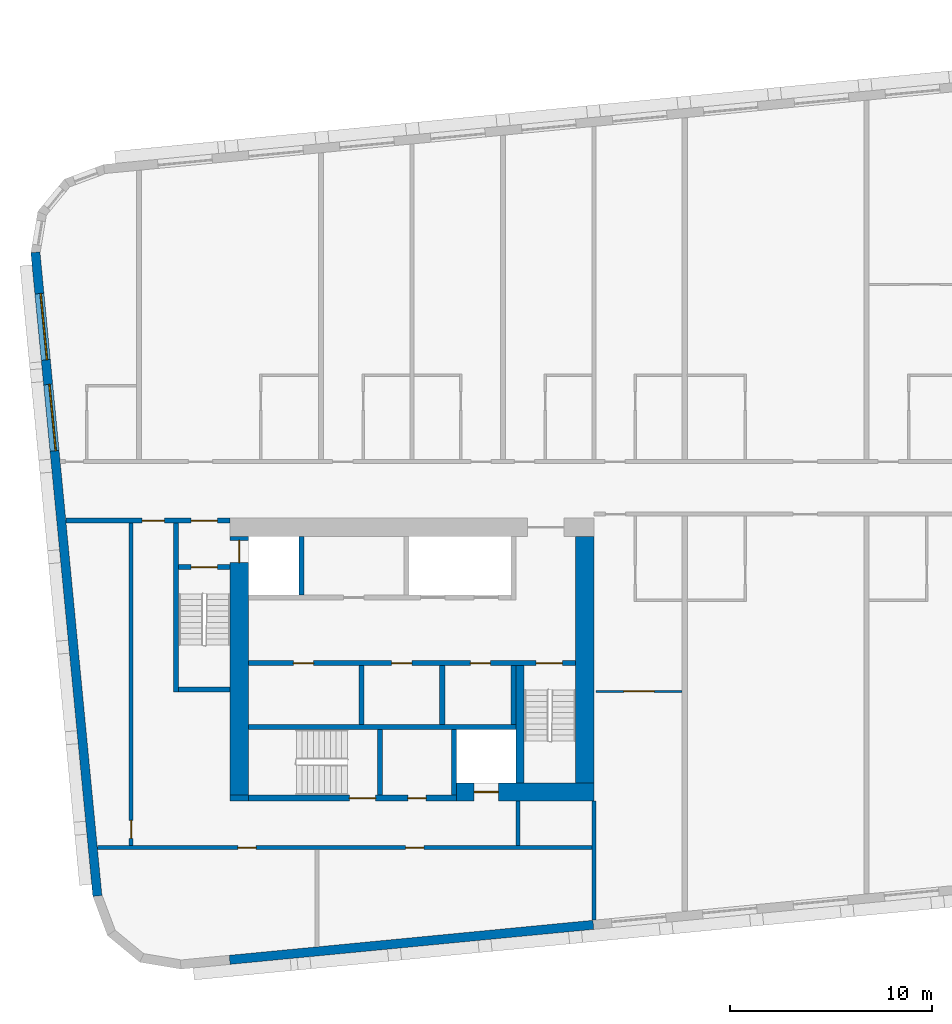
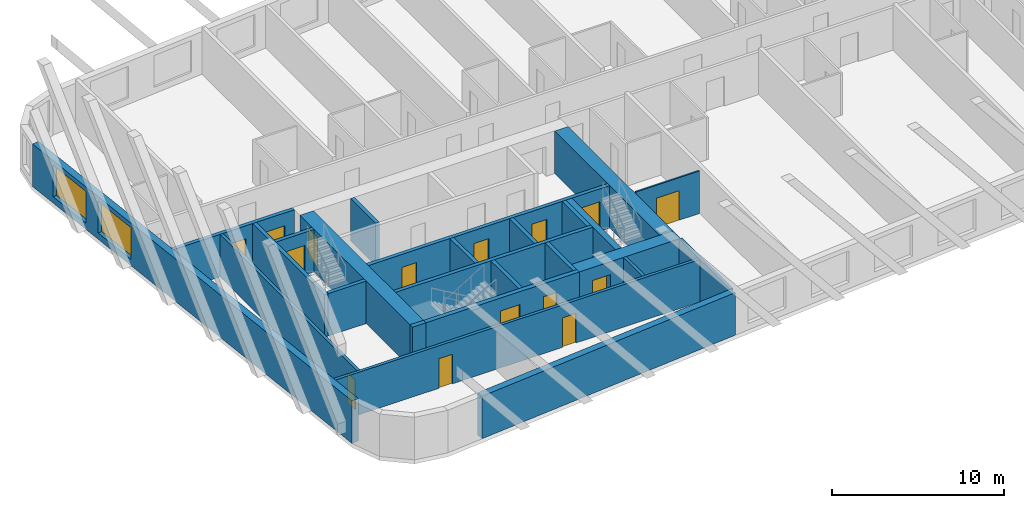
# One storey, part 2 of 12: 25 walls, 15 doors, 2 windows, 17 openings.
"""IFC4 building model written with IfcOpenShell, lengths in metres."""

from ifc_helpers import new_model, si_unit, direction, frame, frame_2d, origin, place, context, subcontext, project, spatial, rectangle, extrude, material, layer, layer_set, type_object, element, fill, save


model = new_model("IFC4")

# Units and contexts
model_context = context("Model", 3, precision=1e-05, world=origin(), true_north=direction((0.0, 1.0)))
body_context = subcontext(model_context, "Body", "Model", "MODEL_VIEW")
ifc_project = project(units=[si_unit("LENGTHUNIT", "METRE"), si_unit("AREAUNIT", "SQUARE_METRE"), si_unit("VOLUMEUNIT", "CUBIC_METRE"), si_unit("PLANEANGLEUNIT", "RADIAN"), si_unit("MASSUNIT", "GRAM", prefix="KILO")], contexts=[model_context])

# Site, building, storey
site_placement = place(None, origin())
site = spatial("IfcSite", under=ifc_project, at=site_placement, CompositionType="ELEMENT")
building_placement = place(site_placement, origin())
building = spatial("IfcBuilding", under=site, at=building_placement, Name="Kajstack Hotel Tower", CompositionType="ELEMENT")
storey_placement = place(building_placement, frame((0.0, 0.0, 288.300048828125)))
storey = spatial("IfcBuildingStorey", under=building, at=storey_placement, Name="L72", CompositionType="ELEMENT", Elevation=288.300048828125)

# Wall, opening, door
ifc_material_1 = material(Name="Concrete C60/75", Category="concrete")
ifc_layer_1 = layer(ifc_material_1, 0.89990234375)
ifc_layer_set_1 = layer_set([ifc_layer_1], Name="Core wall 900")
wall_type_1 = type_object("IfcWallType", Name="Core wall 900", PredefinedType="SHEAR", material=ifc_layer_set_1)
wall_1_placement = place(storey_placement, frame((-20.300048828125, -15.050048828125, 0.0), z_axis=(0.0, 0.0, 1.0), x_axis=(1.0, 0.0, 0.0)))
wall_1 = element("IfcWall", 1, at=wall_1_placement, inside=storey, type_object=wall_type_1, Name="Core wall W RS", PredefinedType="SHEAR", context=body_context, shape_type="SweptSolid", body=[
    extrude(rectangle(XDim=6.800048828125, YDim=0.89990234375, at=frame_2d((3.39990234375, 0.0))), origin(), (0.0, 0.0, 1.0), 3.02001953125),
])
opening_1_placement = place(wall_1_placement, frame((0.875, 0.0, 0.0)))
opening_1 = element("IfcOpeningElement", 2, at=opening_1_placement, cuts=wall_1, Name="Opening LD-SV1", PredefinedType="OPENING", context=body_context, shape_type="SweptSolid", body=[
    extrude(rectangle(XDim=1.199951171875, YDim=2.10009765625, at=frame_2d((0.60009765625, 1.050048828125))), frame((0.0, 0.4599609375, 0.0), z_axis=(0.0, -1.0, 0.0), x_axis=(1.0, 0.0, 0.0)), (0.0, 0.0, 1.0), 0.919921875),
])
ifc_material_2 = material(Name="Stainless steel", Category="steel")
door_type_1 = type_object("IfcDoorType", Name="Lift landing door 1200", OperationType="SLIDING_TO_LEFT", PredefinedType="DOOR", material=ifc_material_2)
door_1_placement = place(opening_1_placement, origin())
door_1 = element("IfcDoor", 3, at=door_1_placement, inside=storey, type_object=door_type_1, Name="Landing door SV1", OperationType="SLIDING_TO_LEFT", OverallHeight=2.10009765625, OverallWidth=1.199951171875, PredefinedType="DOOR", context=body_context, shape_type="SweptSolid", body=[
    extrude(rectangle(XDim=1.199951171875, YDim=2.10009765625, at=frame_2d((0.60009765625, 1.050048828125))), frame((0.0, 0.02490234375, 0.0), z_axis=(0.0, -1.0, 0.0), x_axis=(1.0, 0.0, 0.0)), (0.0, 0.0, 1.0), 0.050048828125),
])
fill(opening_1, door_1)

# Wall
wall_2_placement = place(storey_placement, frame((-31.5, -15.35009765625, 0.0), z_axis=(0.0, 0.0, 1.0), x_axis=(1.0, 0.0, 0.0)))
element("IfcWall", 4, at=wall_2_placement, inside=storey, type_object=wall_type_1, Name="Core wall W RSW", PredefinedType="SHEAR", context=body_context, shape_type="SweptSolid", body=[
    extrude(rectangle(XDim=0.89990234375, YDim=0.300048828125, at=frame_2d((0.449951171875, 0.0))), origin(), (0.0, 0.0, 1.0), 3.02001953125),
])

# Wall, opening, door
wall_3_placement = place(storey_placement, frame((-31.050048828125, -15.199951171875, 0.0), z_axis=(0.0, 0.0, 1.0), x_axis=(0.0, 1.0, 0.0)))
wall_3 = element("IfcWall", 5, at=wall_3_placement, inside=storey, type_object=wall_type_1, Name="Core wall W RW", PredefinedType="SHEAR", context=body_context, shape_type="SweptSolid", body=[
    extrude(rectangle(XDim=12.800048828125, YDim=0.89990234375, at=frame_2d((6.39990234375, 0.0))), origin(), (0.0, 0.0, 1.0), 3.02001953125),
])
opening_2_placement = place(wall_3_placement, frame((11.5, 0.0, 0.0)))
opening_2 = element("IfcOpeningElement", 6, at=opening_2_placement, cuts=wall_3, Name="Opening LD-FF1", PredefinedType="OPENING", context=body_context, shape_type="SweptSolid", body=[
    extrude(rectangle(XDim=1.10009765625, YDim=2.10009765625, at=frame_2d((0.550048828125, 1.050048828125))), frame((0.0, 0.4599609375, 0.0), z_axis=(0.0, -1.0, 0.0), x_axis=(1.0, 0.0, 0.0)), (0.0, 0.0, 1.0), 0.919921875),
])
door_type_2 = type_object("IfcDoorType", Name="Fire-fighting lift landing door 1100", OperationType="SLIDING_TO_LEFT", PredefinedType="DOOR", material=ifc_material_2)
door_2_placement = place(opening_2_placement, origin())
door_2 = element("IfcDoor", 7, at=door_2_placement, inside=storey, type_object=door_type_2, Name="Landing door FF1", OperationType="SLIDING_TO_RIGHT", OverallHeight=2.10009765625, OverallWidth=1.10009765625, PredefinedType="DOOR", context=body_context, shape_type="SweptSolid", body=[
    extrude(rectangle(XDim=1.10009765625, YDim=2.10009765625, at=frame_2d((0.550048828125, 1.050048828125))), frame((0.0, 0.02490234375, 0.0), z_axis=(0.0, -1.0, 0.0), x_axis=(1.0, 0.0, 0.0)), (0.0, 0.0, 1.0), 0.050048828125),
])
fill(opening_2, door_2)

# Walls
wall_4_placement = place(storey_placement, frame((-13.949951171875, -14.60009765625, 0.0), z_axis=(0.0, 0.0, 1.0), x_axis=(0.0, 1.0, 0.0)))
element("IfcWall", 8, at=wall_4_placement, inside=storey, type_object=wall_type_1, Name="Core wall W RE", PredefinedType="SHEAR", context=body_context, shape_type="SweptSolid", body=[
    extrude(rectangle(XDim=12.2001953125, YDim=0.89990234375, at=frame_2d((6.10009765625, 0.0))), origin(), (0.0, 0.0, 1.0), 3.02001953125),
])
ifc_material_3 = material(Name="Twin-frame gypsum board on steel studs, mineral wool", Category="steel")
ifc_layer_2 = layer(ifc_material_3, 0.199951171875)
ifc_layer_set_2 = layer_set([ifc_layer_2], Name="Demising wall 200")
wall_type_2 = type_object("IfcWallType", Name="Demising wall 200", PredefinedType="PARTITIONING", material=ifc_layer_set_2)
wall_5_placement = place(storey_placement, frame((-13.5, -21.39599609375, 0.0), z_axis=(0.0, 0.0, 1.0), x_axis=(0.0, 1.0, 0.0)))
element("IfcWall", 9, at=wall_5_placement, inside=storey, type_object=wall_type_2, Name="G-wall-L72-002", PredefinedType="PARTITIONING", context=body_context, shape_type="SweptSolid", body=[
    extrude(rectangle(XDim=5.89599609375, YDim=0.199951171875, at=frame_2d((2.947998046875, 0.0))), origin(), (0.0, 0.0, 1.0), 3.02001953125),
])
ifc_material_4 = material(Name="Concrete C40/50", Category="concrete")
ifc_layer_3 = layer(ifc_material_4, 0.449951171875)
ifc_layer_set_3 = layer_set([ifc_layer_3], Name="EW-CORE")
wall_type_3 = type_object("IfcWallType", Name="EW-CORE", PredefinedType="SOLIDWALL", material=ifc_layer_set_3)
wall_6_placement = place(storey_placement, frame((-31.521484375, -23.357177734375, 0.0), z_axis=(0.0, 0.0, 1.0), x_axis=(0.995396454615, 0.095843091245, 0.0)))
element("IfcWall", 10, at=wall_6_placement, inside=storey, type_object=wall_type_3, Name="E-wall-L72-04-01", PredefinedType="SOLIDWALL", context=body_context, shape_type="SweptSolid", body=[
    extrude(rectangle(XDim=18.083251953125, YDim=0.449951171875, at=frame_2d((9.04150390625, 0.0))), origin(), (0.0, 0.0, 1.0), 3.02001953125),
])

# Wall, openings, windows
ifc_material_5 = material(Name="Terracotta-faced brick masonry", Category="masonry")
ifc_layer_4 = layer(ifc_material_5, 0.449951171875)
ifc_layer_set_4 = layer_set([ifc_layer_4], Name="EW-TERRA")
wall_type_4 = type_object("IfcWallType", Name="EW-TERRA", PredefinedType="SOLIDWALL", material=ifc_layer_set_4)
wall_7_placement = place(storey_placement, frame((-41.13232421875, 11.657958984375, 0.0), z_axis=(0.0, 0.0, 1.0), x_axis=(0.095847749461, -0.995396006082, 0.0)))
wall_7 = element("IfcWall", 11, at=wall_7_placement, inside=storey, type_object=wall_type_4, Name="E-wall-L72-00-00", PredefinedType="SOLIDWALL", context=body_context, shape_type="SweptSolid", body=[
    extrude(rectangle(XDim=32.0, YDim=0.449951171875, at=frame_2d((16.0, 0.0))), origin(), (0.0, 0.0, 1.0), 3.02001953125),
])
opening_3_placement = place(wall_7_placement, frame((2.053466796875, 0.0, 0.449951171875)))
opening_3 = element("IfcOpeningElement", 12, at=opening_3_placement, cuts=wall_7, Name="Opening W2", PredefinedType="OPENING", context=body_context, shape_type="SweptSolid", body=[
    extrude(rectangle(XDim=3.300048828125, YDim=2.25, at=frame_2d((1.64990234375, 1.125))), frame((0.0, 0.23486328125, 0.0), z_axis=(0.0, -1.0, 0.0), x_axis=(1.0, 0.0, 0.0)), (0.0, 0.0, 1.0), 0.469970703125),
])
opening_4_placement = place(wall_7_placement, frame((6.57421875, 0.0, 0.449951171875)))
opening_4 = element("IfcOpeningElement", 13, at=opening_4_placement, cuts=wall_7, Name="Opening W2", PredefinedType="OPENING", context=body_context, shape_type="SweptSolid", body=[
    extrude(rectangle(XDim=3.300048828125, YDim=2.25, at=frame_2d((1.64990234375, 1.125))), frame((0.0, 0.23486328125, 0.0), z_axis=(0.0, -1.0, 0.0), x_axis=(1.0, 0.0, 0.0)), (0.0, 0.0, 1.0), 0.469970703125),
])
ifc_material_6 = material(Name="Timber-aluminium window, triple glazed", Category="wood")
window_type = type_object("IfcWindowType", Name="WG2", PartitioningType="SINGLE_PANEL", PredefinedType="WINDOW", material=ifc_material_6)
window_1_placement = place(opening_3_placement, origin())
window_1 = element("IfcWindow", 14, at=window_1_placement, inside=storey, type_object=window_type, Name="Window W2 L72-00", OverallHeight=2.25, OverallWidth=3.300048828125, PartitioningType="SINGLE_PANEL", PredefinedType="WINDOW", context=body_context, shape_type="SweptSolid", body=[
    extrude(rectangle(XDim=3.300048828125, YDim=2.25, at=frame_2d((1.64990234375, 1.125))), frame((0.0, 0.090087890625, 0.0), z_axis=(0.0, -1.0, 0.0), x_axis=(1.0, 0.0, 0.0)), (0.0, 0.0, 1.0), 0.06005859375),
])
fill(opening_3, window_1)
window_2_placement = place(opening_4_placement, origin())
window_2 = element("IfcWindow", 15, at=window_2_placement, inside=storey, type_object=window_type, Name="Window W2 L72-00", OverallHeight=2.25, OverallWidth=3.300048828125, PartitioningType="SINGLE_PANEL", PredefinedType="WINDOW", context=body_context, shape_type="SweptSolid", body=[
    extrude(rectangle(XDim=3.300048828125, YDim=2.25, at=frame_2d((1.64990234375, 1.125))), frame((0.0, 0.090087890625, 0.0), z_axis=(0.0, -1.0, 0.0), x_axis=(1.0, 0.0, 0.0)), (0.0, 0.0, 1.0), 0.06005859375),
])
fill(opening_4, window_2)

# Wall, opening, door
ifc_material_7 = material(Name="Gypsum board on steel studs", Category="steel")
ifc_layer_5 = layer(ifc_material_7, 0.10009765625)
ifc_layer_set_5 = layer_set([ifc_layer_5], Name="Partition 100")
wall_type_5 = type_object("IfcWallType", Name="Partition 100", PredefinedType="PARTITIONING", material=ifc_layer_set_5)
wall_8_placement = place(storey_placement, frame((-13.39990234375, -10.074951171875, 0.0), z_axis=(0.0, 0.0, 1.0), x_axis=(1.0, 0.0, 0.0)))
wall_8 = element("IfcWall", 16, at=wall_8_placement, inside=storey, type_object=wall_type_5, Name="G-wall-L72-031", PredefinedType="PARTITIONING", context=body_context, shape_type="SweptSolid", body=[
    extrude(rectangle(XDim=4.27490234375, YDim=0.10009765625, at=frame_2d((2.137451171875, 0.0))), origin(), (0.0, 0.0, 1.0), 3.02001953125),
])
opening_5_placement = place(wall_8_placement, frame((1.387939453125, 0.0, 0.0)))
opening_5 = element("IfcOpeningElement", 17, at=opening_5_placement, cuts=wall_8, Name="Opening 72024", PredefinedType="OPENING", context=body_context, shape_type="SweptSolid", body=[
    extrude(rectangle(XDim=1.5, YDim=2.10009765625, at=frame_2d((0.75, 1.050048828125))), frame((0.0, 0.06005859375, 0.0), z_axis=(0.0, -1.0, 0.0), x_axis=(1.0, 0.0, 0.0)), (0.0, 0.0, 1.0), 0.1201171875),
])
ifc_material_8 = material(Name="Painted timber door leaves, glazed panels", Category="wood")
door_type_3 = type_object("IfcDoorType", Name="Double door 1500", OperationType="SINGLE_SWING_LEFT", PredefinedType="DOOR", material=ifc_material_8)
door_3_placement = place(opening_5_placement, origin())
door_3 = element("IfcDoor", 18, at=door_3_placement, inside=storey, type_object=door_type_3, Name="G-door-L72-24", OperationType="SINGLE_SWING_RIGHT", OverallHeight=2.10009765625, OverallWidth=1.5, PredefinedType="DOOR", context=body_context, shape_type="SweptSolid", body=[
    extrude(rectangle(XDim=1.5, YDim=2.10009765625, at=frame_2d((0.75, 1.050048828125))), frame((0.0, 0.02490234375, 0.0), z_axis=(0.0, -1.0, 0.0), x_axis=(1.0, 0.0, 0.0)), (0.0, 0.0, 1.0), 0.050048828125),
])
fill(opening_5, door_3)

# Walls
ifc_material_9 = material(Name="Concrete block masonry", Category="masonry")
ifc_layer_6 = layer(ifc_material_9, 0.25)
ifc_layer_set_6 = layer_set([ifc_layer_6], Name="Riser partition 250")
wall_type_6 = type_object("IfcWallType", Name="Riser partition 250", PredefinedType="PARTITIONING", material=ifc_layer_set_6)
for number, where, z_axis, x_axis, name in (
    (19, (-25.0, -11.699951171875, 0.0), (0.0, 0.0, 1.0), (0.0, 1.0, 0.0), "Partition W BF0"),
    (20, (-21.0, -11.699951171875, 0.0), (0.0, 0.0, 1.0), (0.0, 1.0, 0.0), "Partition W BF1"),
):
    element("IfcWall", number, at=place(storey_placement, frame(where, z_axis=z_axis, x_axis=x_axis)), inside=storey, type_object=wall_type_6, Name=name, PredefinedType="PARTITIONING", context=body_context, shape_type="SweptSolid", body=[
        extrude(rectangle(XDim=2.89990234375, YDim=0.25, at=frame_2d((1.449951171875, 0.0))), origin(), (0.0, 0.0, 1.0), 3.02001953125),
    ])

# Wall, openings, doors
ifc_material_10 = material(Name="Gypsum board on steel studs, mineral wool", Category="steel")
ifc_layer_7 = layer(ifc_material_10, 0.199951171875)
ifc_layer_set_7 = layer_set([ifc_layer_7], Name="Service partition 200")
wall_type_7 = type_object("IfcWallType", Name="Service partition 200", PredefinedType="PARTITIONING", material=ifc_layer_set_7)
wall_9_placement = place(storey_placement, frame((-39.627197265625, -1.625, 0.0), z_axis=(0.0, 0.0, 1.0), x_axis=(1.0, 0.0, 0.0)))
wall_9 = element("IfcWall", 21, at=wall_9_placement, inside=storey, type_object=wall_type_7, Name="Partition W SN", PredefinedType="PARTITIONING", context=body_context, shape_type="SweptSolid", body=[
    extrude(rectangle(XDim=8.127197265625, YDim=0.25, at=frame_2d((4.0634765625, 0.0))), origin(), (0.0, 0.0, 1.0), 3.02001953125),
])
opening_6_placement = place(wall_9_placement, frame((6.202392578125, 0.0, 0.0)))
opening_6 = element("IfcOpeningElement", 22, at=opening_6_placement, cuts=wall_9, Name="Opening 72W06", PredefinedType="OPENING", context=body_context, shape_type="SweptSolid", body=[
    extrude(rectangle(XDim=1.300048828125, YDim=2.10009765625, at=frame_2d((0.64990234375, 1.050048828125))), frame((0.0, 0.135009765625, 0.0), z_axis=(0.0, -1.0, 0.0), x_axis=(1.0, 0.0, 0.0)), (0.0, 0.0, 1.0), 0.27001953125),
])
opening_7_placement = place(wall_9_placement, frame((3.77734375, 0.0, 0.0)))
opening_7 = element("IfcOpeningElement", 23, at=opening_7_placement, cuts=wall_9, Name="Opening 72W08", PredefinedType="OPENING", context=body_context, shape_type="SweptSolid", body=[
    extrude(rectangle(XDim=1.10009765625, YDim=2.10009765625, at=frame_2d((0.550048828125, 1.050048828125))), frame((0.0, 0.135009765625, 0.0), z_axis=(0.0, -1.0, 0.0), x_axis=(1.0, 0.0, 0.0)), (0.0, 0.0, 1.0), 0.27001953125),
])
ifc_material_11 = material(Name="Steel leaf, fire-rated", Category="steel")
door_type_4 = type_object("IfcDoorType", Name="Fire lobby door 1300", OperationType="SINGLE_SWING_LEFT", PredefinedType="DOOR", material=ifc_material_11)
door_4_placement = place(opening_6_placement, origin())
door_4 = element("IfcDoor", 24, at=door_4_placement, inside=storey, type_object=door_type_4, Name="Door 72W06", OperationType="SINGLE_SWING_RIGHT", OverallHeight=2.10009765625, OverallWidth=1.300048828125, PredefinedType="DOOR", context=body_context, shape_type="SweptSolid", body=[
    extrude(rectangle(XDim=1.300048828125, YDim=2.10009765625, at=frame_2d((0.64990234375, 1.050048828125))), frame((0.0, 0.02490234375, 0.0), z_axis=(0.0, -1.0, 0.0), x_axis=(1.0, 0.0, 0.0)), (0.0, 0.0, 1.0), 0.050048828125),
])
fill(opening_6, door_4)
ifc_material_12 = material(Name="Timber leaf, fire-rated", Category="wood")
door_type_5 = type_object("IfcDoorType", Name="Service corridor door 1100", OperationType="SINGLE_SWING_LEFT", PredefinedType="DOOR", material=ifc_material_12)
door_5_placement = place(opening_7_placement, origin())
door_5 = element("IfcDoor", 25, at=door_5_placement, inside=storey, type_object=door_type_5, Name="Door 72W08", OperationType="SINGLE_SWING_RIGHT", OverallHeight=2.10009765625, OverallWidth=1.10009765625, PredefinedType="DOOR", context=body_context, shape_type="SweptSolid", body=[
    extrude(rectangle(XDim=1.10009765625, YDim=2.10009765625, at=frame_2d((0.550048828125, 1.050048828125))), frame((0.0, 0.02490234375, 0.0), z_axis=(0.0, -1.0, 0.0), x_axis=(1.0, 0.0, 0.0)), (0.0, 0.0, 1.0), 0.050048828125),
])
fill(opening_7, door_5)

# Wall
wall_10_placement = place(storey_placement, frame((-17.25, -17.699951171875, 0.0), z_axis=(0.0, 0.0, 1.0), x_axis=(0.0, 1.0, 0.0)))
element("IfcWall", 26, at=wall_10_placement, inside=storey, type_object=wall_type_7, Name="Partition W SCE", PredefinedType="PARTITIONING", context=body_context, shape_type="SweptSolid", body=[
    extrude(rectangle(XDim=2.199951171875, YDim=0.199951171875, at=frame_2d((1.10009765625, 0.0))), origin(), (0.0, 0.0, 1.0), 3.02001953125),
])

# Wall, opening, door
wall_11_placement = place(storey_placement, frame((-36.39990234375, -17.699951171875, 0.0), z_axis=(0.0, 0.0, 1.0), x_axis=(0.0, 1.0, 0.0)))
wall_11 = element("IfcWall", 27, at=wall_11_placement, inside=storey, type_object=wall_type_7, Name="Partition W WRE", PredefinedType="PARTITIONING", context=body_context, shape_type="SweptSolid", body=[
    extrude(rectangle(XDim=15.949951171875, YDim=0.199951171875, at=frame_2d((7.97509765625, 0.0))), origin(), (0.0, 0.0, 1.0), 3.02001953125),
])
opening_8_placement = place(wall_11_placement, frame((0.35009765625, 0.0, 0.0)))
opening_8 = element("IfcOpeningElement", 28, at=opening_8_placement, cuts=wall_11, Name="Opening 72W18", PredefinedType="OPENING", context=body_context, shape_type="SweptSolid", body=[
    extrude(rectangle(XDim=0.89990234375, YDim=2.10009765625, at=frame_2d((0.449951171875, 1.050048828125))), frame((0.0, 0.10986328125, 0.0), z_axis=(0.0, -1.0, 0.0), x_axis=(1.0, 0.0, 0.0)), (0.0, 0.0, 1.0), 0.219970703125),
])
door_type_6 = type_object("IfcDoorType", Name="Service door 900", OperationType="SINGLE_SWING_LEFT", PredefinedType="DOOR", material=ifc_material_12)
door_6_placement = place(opening_8_placement, origin())
door_6 = element("IfcDoor", 29, at=door_6_placement, inside=storey, type_object=door_type_6, Name="Door 72W18", OperationType="SINGLE_SWING_LEFT", OverallHeight=2.10009765625, OverallWidth=0.89990234375, PredefinedType="DOOR", context=body_context, shape_type="SweptSolid", body=[
    extrude(rectangle(XDim=0.89990234375, YDim=2.10009765625, at=frame_2d((0.449951171875, 1.050048828125))), frame((0.0, 0.02490234375, 0.0), z_axis=(0.0, -1.0, 0.0), x_axis=(1.0, 0.0, 0.0)), (0.0, 0.0, 1.0), 0.050048828125),
])
fill(opening_8, door_6)

# Wall, openings, doors
wall_12_placement = place(storey_placement, frame((-38.06982421875, -17.800048828125, 0.0), z_axis=(0.0, 0.0, 1.0), x_axis=(1.0, 0.0, 0.0)))
wall_12 = element("IfcWall", 30, at=wall_12_placement, inside=storey, type_object=wall_type_7, Name="Partition W SLN", PredefinedType="PARTITIONING", context=body_context, shape_type="SweptSolid", body=[
    extrude(rectangle(XDim=24.4697265625, YDim=0.199951171875, at=frame_2d((12.23486328125, 0.0))), origin(), (0.0, 0.0, 1.0), 3.02001953125),
])
opening_9_placement = place(wall_12_placement, frame((6.957275390625, 0.0, 0.0)))
opening_9 = element("IfcOpeningElement", 31, at=opening_9_placement, cuts=wall_12, Name="Opening 72W16", PredefinedType="OPENING", context=body_context, shape_type="SweptSolid", body=[
    extrude(rectangle(XDim=0.89990234375, YDim=2.10009765625, at=frame_2d((0.449951171875, 1.050048828125))), frame((0.0, 0.10986328125, 0.0), z_axis=(0.0, -1.0, 0.0), x_axis=(1.0, 0.0, 0.0)), (0.0, 0.0, 1.0), 0.219970703125),
])
opening_10_placement = place(wall_12_placement, frame((15.25732421875, 0.0, 0.0)))
opening_10 = element("IfcOpeningElement", 32, at=opening_10_placement, cuts=wall_12, Name="Opening 72W17", PredefinedType="OPENING", context=body_context, shape_type="SweptSolid", body=[
    extrude(rectangle(XDim=0.89990234375, YDim=2.10009765625, at=frame_2d((0.449951171875, 1.050048828125))), frame((0.0, 0.10986328125, 0.0), z_axis=(0.0, -1.0, 0.0), x_axis=(1.0, 0.0, 0.0)), (0.0, 0.0, 1.0), 0.219970703125),
])
door_7_placement = place(opening_9_placement, origin())
door_7 = element("IfcDoor", 33, at=door_7_placement, inside=storey, type_object=door_type_6, Name="Door 72W16", OperationType="SINGLE_SWING_RIGHT", OverallHeight=2.10009765625, OverallWidth=0.89990234375, PredefinedType="DOOR", context=body_context, shape_type="SweptSolid", body=[
    extrude(rectangle(XDim=0.89990234375, YDim=2.10009765625, at=frame_2d((0.449951171875, 1.050048828125))), frame((0.0, 0.02490234375, 0.0), z_axis=(0.0, -1.0, 0.0), x_axis=(1.0, 0.0, 0.0)), (0.0, 0.0, 1.0), 0.050048828125),
])
fill(opening_9, door_7)
door_8_placement = place(opening_10_placement, origin())
door_8 = element("IfcDoor", 34, at=door_8_placement, inside=storey, type_object=door_type_6, Name="Door 72W17", OperationType="SINGLE_SWING_RIGHT", OverallHeight=2.10009765625, OverallWidth=0.89990234375, PredefinedType="DOOR", context=body_context, shape_type="SweptSolid", body=[
    extrude(rectangle(XDim=0.89990234375, YDim=2.10009765625, at=frame_2d((0.449951171875, 1.050048828125))), frame((0.0, 0.02490234375, 0.0), z_axis=(0.0, -1.0, 0.0), x_axis=(1.0, 0.0, 0.0)), (0.0, 0.0, 1.0), 0.050048828125),
])
fill(opening_10, door_8)

ifc_material_13 = material(Name="Concrete C50/60", Category="concrete")
ifc_layer_8 = layer(ifc_material_13, 0.25)
ifc_layer_set_8 = layer_set([ifc_layer_8], Name="Shaft wall 250")
wall_type_8 = type_object("IfcWallType", Name="Shaft wall 250", PredefinedType="SHEAR", material=ifc_layer_set_8)
wall_13_placement = place(storey_placement, frame((-30.60009765625, -15.35009765625, 0.0), z_axis=(0.0, 0.0, 1.0), x_axis=(1.0, 0.0, 0.0)))
wall_13 = element("IfcWall", 35, at=wall_13_placement, inside=storey, type_object=wall_type_8, Name="Core wall W RSS", PredefinedType="SHEAR", context=body_context, shape_type="SweptSolid", body=[
    extrude(rectangle(XDim=10.300048828125, YDim=0.300048828125, at=frame_2d((5.14990234375, 0.0))), origin(), (0.0, 0.0, 1.0), 3.02001953125),
])
opening_11_placement = place(wall_13_placement, frame((5.0, 0.0, 0.0)))
opening_11 = element("IfcOpeningElement", 36, at=opening_11_placement, cuts=wall_13, Name="Opening 72W10", PredefinedType="OPENING", context=body_context, shape_type="SweptSolid", body=[
    extrude(rectangle(XDim=1.300048828125, YDim=2.10009765625, at=frame_2d((0.64990234375, 1.050048828125))), frame((0.0, 0.159912109375, 0.0), z_axis=(0.0, -1.0, 0.0), x_axis=(1.0, 0.0, 0.0)), (0.0, 0.0, 1.0), 0.320068359375),
])
opening_12_placement = place(wall_13_placement, frame((7.89990234375, 0.0, 0.0)))
opening_12 = element("IfcOpeningElement", 37, at=opening_12_placement, cuts=wall_13, Name="Opening 72W11", PredefinedType="OPENING", context=body_context, shape_type="SweptSolid", body=[
    extrude(rectangle(XDim=0.89990234375, YDim=2.10009765625, at=frame_2d((0.449951171875, 1.050048828125))), frame((0.0, 0.159912109375, 0.0), z_axis=(0.0, -1.0, 0.0), x_axis=(1.0, 0.0, 0.0)), (0.0, 0.0, 1.0), 0.320068359375),
])
door_9_placement = place(opening_12_placement, origin())
door_9 = element("IfcDoor", 38, at=door_9_placement, inside=storey, type_object=door_type_6, Name="Door 72W11", OperationType="SINGLE_SWING_LEFT", OverallHeight=2.10009765625, OverallWidth=0.89990234375, PredefinedType="DOOR", context=body_context, shape_type="SweptSolid", body=[
    extrude(rectangle(XDim=0.89990234375, YDim=2.10009765625, at=frame_2d((0.449951171875, 1.050048828125))), frame((0.0, 0.02490234375, 0.0), z_axis=(0.0, -1.0, 0.0), x_axis=(1.0, 0.0, 0.0)), (0.0, 0.0, 1.0), 0.050048828125),
])
fill(opening_12, door_9)
door_type_7 = type_object("IfcDoorType", Name="Stair door 1300", OperationType="SINGLE_SWING_LEFT", PredefinedType="DOOR", material=ifc_material_11)
door_10_placement = place(opening_11_placement, origin())
door_10 = element("IfcDoor", 39, at=door_10_placement, inside=storey, type_object=door_type_7, Name="Door 72W10", OperationType="SINGLE_SWING_RIGHT", OverallHeight=2.10009765625, OverallWidth=1.300048828125, PredefinedType="DOOR", context=body_context, shape_type="SweptSolid", body=[
    extrude(rectangle(XDim=1.300048828125, YDim=2.10009765625, at=frame_2d((0.64990234375, 1.050048828125))), frame((0.0, 0.02490234375, 0.0), z_axis=(0.0, -1.0, 0.0), x_axis=(1.0, 0.0, 0.0)), (0.0, 0.0, 1.0), 0.050048828125),
])
fill(opening_11, door_10)

# Wall
wall_14_placement = place(storey_placement, frame((-27.97509765625, -5.300048828125, 0.0), z_axis=(0.0, 0.0, 1.0), x_axis=(0.0, 1.0, 0.0)))
element("IfcWall", 40, at=wall_14_placement, inside=storey, type_object=wall_type_8, Name="Core wall W AP0", PredefinedType="SHEAR", context=body_context, shape_type="SweptSolid", body=[
    extrude(rectangle(XDim=2.900146484375, YDim=0.25, at=frame_2d((1.4501953125, 0.0))), origin(), (0.0, 0.0, 1.0), 3.02001953125),
])

# Wall, openings, doors
wall_15_placement = place(storey_placement, frame((-30.60009765625, -8.675048828125, 0.0), z_axis=(0.0, 0.0, 1.0), x_axis=(1.0, 0.0, 0.0)))
wall_15 = element("IfcWall", 41, at=wall_15_placement, inside=storey, type_object=wall_type_8, Name="Core wall W FB", PredefinedType="SHEAR", context=body_context, shape_type="SweptSolid", body=[
    extrude(rectangle(XDim=16.2001953125, YDim=0.25, at=frame_2d((8.10009765625, 0.0))), origin(), (0.0, 0.0, 1.0), 3.02001953125),
])
opening_13_placement = place(wall_15_placement, frame((14.25, 0.0, 0.0)))
opening_13 = element("IfcOpeningElement", 42, at=opening_13_placement, cuts=wall_15, Name="Opening 72W09", PredefinedType="OPENING", context=body_context, shape_type="SweptSolid", body=[
    extrude(rectangle(XDim=1.300048828125, YDim=2.10009765625, at=frame_2d((0.64990234375, 1.050048828125))), frame((0.0, 0.135009765625, 0.0), z_axis=(0.0, -1.0, 0.0), x_axis=(1.0, 0.0, 0.0)), (0.0, 0.0, 1.0), 0.27001953125),
])
opening_14_placement = place(wall_15_placement, frame((2.237548828125, 0.0, 0.0)))
opening_14 = element("IfcOpeningElement", 43, at=opening_14_placement, cuts=wall_15, Name="Opening 72W12", PredefinedType="OPENING", context=body_context, shape_type="SweptSolid", body=[
    extrude(rectangle(XDim=1.0, YDim=2.10009765625, at=frame_2d((0.5, 1.050048828125))), frame((0.0, 0.135009765625, 0.0), z_axis=(0.0, -1.0, 0.0), x_axis=(1.0, 0.0, 0.0)), (0.0, 0.0, 1.0), 0.27001953125),
])
opening_15_placement = place(wall_15_placement, frame((7.10009765625, 0.0, 0.0)))
opening_15 = element("IfcOpeningElement", 44, at=opening_15_placement, cuts=wall_15, Name="Opening 72W13", PredefinedType="OPENING", context=body_context, shape_type="SweptSolid", body=[
    extrude(rectangle(XDim=1.0, YDim=2.10009765625, at=frame_2d((0.5, 1.050048828125))), frame((0.0, 0.135009765625, 0.0), z_axis=(0.0, -1.0, 0.0), x_axis=(1.0, 0.0, 0.0)), (0.0, 0.0, 1.0), 0.27001953125),
])
opening_16_placement = place(wall_15_placement, frame((10.987548828125, 0.0, 0.0)))
opening_16 = element("IfcOpeningElement", 45, at=opening_16_placement, cuts=wall_15, Name="Opening 72W14", PredefinedType="OPENING", context=body_context, shape_type="SweptSolid", body=[
    extrude(rectangle(XDim=1.0, YDim=2.10009765625, at=frame_2d((0.5, 1.050048828125))), frame((0.0, 0.135009765625, 0.0), z_axis=(0.0, -1.0, 0.0), x_axis=(1.0, 0.0, 0.0)), (0.0, 0.0, 1.0), 0.27001953125),
])
door_type_8 = type_object("IfcDoorType", Name="Service room door 1000", OperationType="SINGLE_SWING_LEFT", PredefinedType="DOOR", material=ifc_material_12)
door_11_placement = place(opening_14_placement, origin())
door_11 = element("IfcDoor", 46, at=door_11_placement, inside=storey, type_object=door_type_8, Name="Door 72W12", OperationType="SINGLE_SWING_RIGHT", OverallHeight=2.10009765625, OverallWidth=1.0, PredefinedType="DOOR", context=body_context, shape_type="SweptSolid", body=[
    extrude(rectangle(XDim=1.0, YDim=2.10009765625, at=frame_2d((0.5, 1.050048828125))), frame((0.0, 0.02490234375, 0.0), z_axis=(0.0, -1.0, 0.0), x_axis=(1.0, 0.0, 0.0)), (0.0, 0.0, 1.0), 0.050048828125),
])
fill(opening_14, door_11)
door_12_placement = place(opening_15_placement, origin())
door_12 = element("IfcDoor", 47, at=door_12_placement, inside=storey, type_object=door_type_8, Name="Door 72W13", OperationType="SINGLE_SWING_RIGHT", OverallHeight=2.10009765625, OverallWidth=1.0, PredefinedType="DOOR", context=body_context, shape_type="SweptSolid", body=[
    extrude(rectangle(XDim=1.0, YDim=2.10009765625, at=frame_2d((0.5, 1.050048828125))), frame((0.0, 0.02490234375, 0.0), z_axis=(0.0, -1.0, 0.0), x_axis=(1.0, 0.0, 0.0)), (0.0, 0.0, 1.0), 0.050048828125),
])
fill(opening_15, door_12)
door_13_placement = place(opening_16_placement, origin())
door_13 = element("IfcDoor", 48, at=door_13_placement, inside=storey, type_object=door_type_8, Name="Door 72W14", OperationType="SINGLE_SWING_RIGHT", OverallHeight=2.10009765625, OverallWidth=1.0, PredefinedType="DOOR", context=body_context, shape_type="SweptSolid", body=[
    extrude(rectangle(XDim=1.0, YDim=2.10009765625, at=frame_2d((0.5, 1.050048828125))), frame((0.0, 0.02490234375, 0.0), z_axis=(0.0, -1.0, 0.0), x_axis=(1.0, 0.0, 0.0)), (0.0, 0.0, 1.0), 0.050048828125),
])
fill(opening_16, door_13)
door_14_placement = place(opening_13_placement, origin())
door_14 = element("IfcDoor", 49, at=door_14_placement, inside=storey, type_object=door_type_7, Name="Door 72W09", OperationType="SINGLE_SWING_RIGHT", OverallHeight=2.10009765625, OverallWidth=1.300048828125, PredefinedType="DOOR", context=body_context, shape_type="SweptSolid", body=[
    extrude(rectangle(XDim=1.300048828125, YDim=2.10009765625, at=frame_2d((0.64990234375, 1.050048828125))), frame((0.0, 0.02490234375, 0.0), z_axis=(0.0, -1.0, 0.0), x_axis=(1.0, 0.0, 0.0)), (0.0, 0.0, 1.0), 0.050048828125),
])
fill(opening_13, door_14)

# Walls
wall_16_placement = place(storey_placement, frame((-30.60009765625, -11.824951171875, 0.0), z_axis=(0.0, 0.0, 1.0), x_axis=(1.0, 0.0, 0.0)))
element("IfcWall", 50, at=wall_16_placement, inside=storey, type_object=wall_type_8, Name="Core wall W RB", PredefinedType="SHEAR", context=body_context, shape_type="SweptSolid", body=[
    extrude(rectangle(XDim=13.25, YDim=0.25, at=frame_2d((6.625, 0.0))), origin(), (0.0, 0.0, 1.0), 3.02001953125),
])
wall_17_placement = place(storey_placement, frame((-17.47509765625, -11.699951171875, 0.0), z_axis=(0.0, 0.0, 1.0), x_axis=(0.0, 1.0, 0.0)))
element("IfcWall", 51, at=wall_17_placement, inside=storey, type_object=wall_type_8, Name="Core wall W BE", PredefinedType="SHEAR", context=body_context, shape_type="SweptSolid", body=[
    extrude(rectangle(XDim=2.89990234375, YDim=0.25, at=frame_2d((1.449951171875, 0.0))), origin(), (0.0, 0.0, 1.0), 3.02001953125),
])
wall_18_placement = place(storey_placement, frame((-20.425048828125, -15.199951171875, 0.0), z_axis=(0.0, 0.0, 1.0), x_axis=(0.0, 1.0, 0.0)))
element("IfcWall", 52, at=wall_18_placement, inside=storey, type_object=wall_type_8, Name="Core wall W SVW", PredefinedType="SHEAR", context=body_context, shape_type="SweptSolid", body=[
    extrude(rectangle(XDim=3.25, YDim=0.25, at=frame_2d((1.625, 0.0))), origin(), (0.0, 0.0, 1.0), 3.02001953125),
])

# Wall, opening, door
ifc_layer_9 = layer(ifc_material_4, 0.25)
ifc_layer_set_9 = layer_set([ifc_layer_9], Name="Stair enclosure wall 250")
wall_type_9 = type_object("IfcWallType", Name="Stair enclosure wall 250", PredefinedType="SHEAR", material=ifc_layer_set_9)
wall_19_placement = place(storey_placement, frame((-34.050048828125, -3.925048828125, 0.0), z_axis=(0.0, 0.0, 1.0), x_axis=(1.0, 0.0, 0.0)))
wall_19 = element("IfcWall", 53, at=wall_19_placement, inside=storey, type_object=wall_type_9, Name="Core wall W W1N", PredefinedType="SHEAR", context=body_context, shape_type="SweptSolid", body=[
    extrude(rectangle(XDim=2.550048828125, YDim=0.25, at=frame_2d((1.27490234375, 0.0))), origin(), (0.0, 0.0, 1.0), 3.02001953125),
])
opening_17_placement = place(wall_19_placement, frame((0.625, 0.0, 0.0)))
opening_17 = element("IfcOpeningElement", 54, at=opening_17_placement, cuts=wall_19, Name="Opening 72W07", PredefinedType="OPENING", context=body_context, shape_type="SweptSolid", body=[
    extrude(rectangle(XDim=1.300048828125, YDim=2.10009765625, at=frame_2d((0.64990234375, 1.050048828125))), frame((0.0, 0.135009765625, 0.0), z_axis=(0.0, -1.0, 0.0), x_axis=(1.0, 0.0, 0.0)), (0.0, 0.0, 1.0), 0.27001953125),
])
door_15_placement = place(opening_17_placement, origin())
door_15 = element("IfcDoor", 55, at=door_15_placement, inside=storey, type_object=door_type_7, Name="Door 72W07", OperationType="SINGLE_SWING_RIGHT", OverallHeight=2.10009765625, OverallWidth=1.300048828125, PredefinedType="DOOR", context=body_context, shape_type="SweptSolid", body=[
    extrude(rectangle(XDim=1.300048828125, YDim=2.10009765625, at=frame_2d((0.64990234375, 1.050048828125))), frame((0.0, 0.02490234375, 0.0), z_axis=(0.0, -1.0, 0.0), x_axis=(1.0, 0.0, 0.0)), (0.0, 0.0, 1.0), 0.050048828125),
])
fill(opening_17, door_15)

# Walls
wall_20_placement = place(storey_placement, frame((-34.175048828125, -10.10009765625, 0.0), z_axis=(0.0, 0.0, 1.0), x_axis=(0.0, 1.0, 0.0)))
element("IfcWall", 56, at=wall_20_placement, inside=storey, type_object=wall_type_9, Name="Core wall W W1W", PredefinedType="SHEAR", context=body_context, shape_type="SweptSolid", body=[
    extrude(rectangle(XDim=8.35009765625, YDim=0.25, at=frame_2d((4.175048828125, 0.0))), origin(), (0.0, 0.0, 1.0), 3.02001953125),
])
wall_21_placement = place(storey_placement, frame((-34.050048828125, -9.97509765625, 0.0), z_axis=(0.0, 0.0, 1.0), x_axis=(1.0, 0.0, 0.0)))
element("IfcWall", 57, at=wall_21_placement, inside=storey, type_object=wall_type_9, Name="Core wall W W1S", PredefinedType="SHEAR", context=body_context, shape_type="SweptSolid", body=[
    extrude(rectangle(XDim=2.550048828125, YDim=0.25, at=frame_2d((1.27490234375, 0.0))), origin(), (0.0, 0.0, 1.0), 3.02001953125),
])
ifc_layer_10 = layer(ifc_material_13, 0.35009765625)
ifc_layer_set_10 = layer_set([ifc_layer_10], Name="Stair enclosure wall 350")
wall_type_10 = type_object("IfcWallType", Name="Stair enclosure wall 350", PredefinedType="SHEAR", material=ifc_layer_set_10)
wall_22_placement = place(storey_placement, frame((-24.074951171875, -15.199951171875, 0.0), z_axis=(0.0, 0.0, 1.0), x_axis=(0.0, 1.0, 0.0)))
element("IfcWall", 58, at=wall_22_placement, inside=storey, type_object=wall_type_10, Name="Core wall W W3E", PredefinedType="SHEAR", context=body_context, shape_type="SweptSolid", body=[
    extrude(rectangle(XDim=3.25, YDim=0.25, at=frame_2d((1.625, 0.0))), origin(), (0.0, 0.0, 1.0), 3.02001953125),
])
ifc_layer_11 = layer(ifc_material_13, 0.39990234375)
ifc_layer_set_11 = layer_set([ifc_layer_11], Name="Stair wall 400")
wall_type_11 = type_object("IfcWallType", Name="Stair wall 400", PredefinedType="SHEAR", material=ifc_layer_set_11)
wall_23_placement = place(storey_placement, frame((-17.14990234375, -14.60009765625, 0.0), z_axis=(0.0, 0.0, 1.0), x_axis=(0.0, 1.0, 0.0)))
element("IfcWall", 59, at=wall_23_placement, inside=storey, type_object=wall_type_11, Name="Core wall W WW2", PredefinedType="SHEAR", context=body_context, shape_type="SweptSolid", body=[
    extrude(rectangle(XDim=5.800048828125, YDim=0.39990234375, at=frame_2d((2.89990234375, 0.0))), origin(), (0.0, 0.0, 1.0), 3.02001953125),
])

save(model, "model.ifc")
